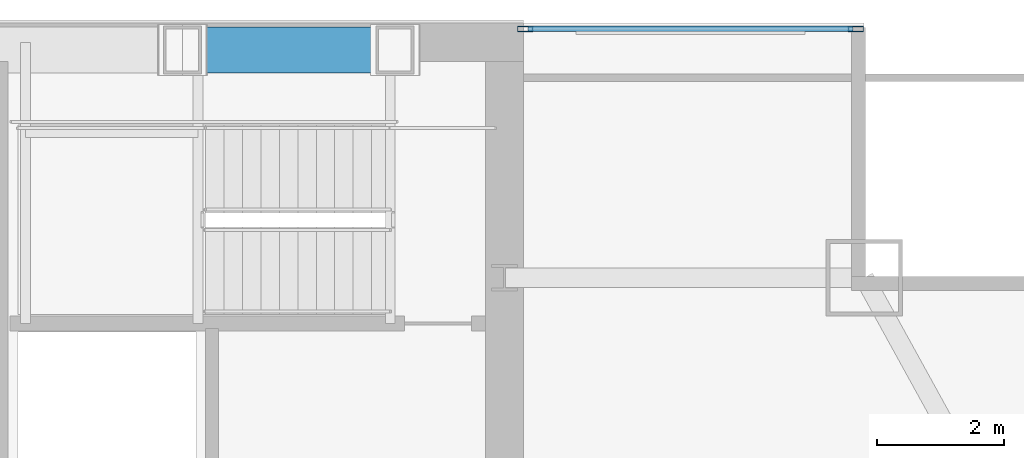
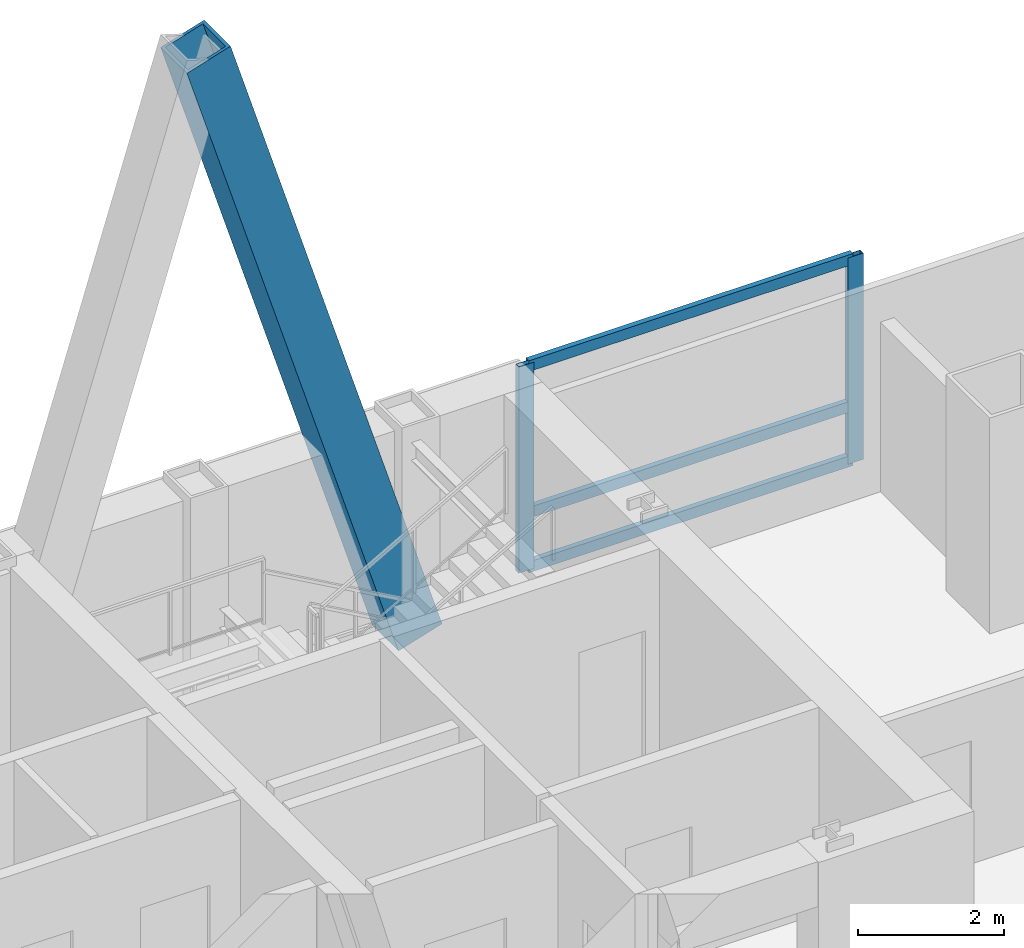
# One storey, part 26 of 33: 6 members, 1 element without a shape of its own.
"""IFC4 building model written with IfcOpenShell, lengths in metres."""

from ifc_helpers import new_model, si_unit, direction, frame, origin, origin_2d, place, context, subcontext, project, spatial, hollow_rectangle, extrude, material, material_profile, profile_set, type_object, element, aggregate, save


model = new_model("IFC4")

# Units and contexts
model_context = context("Model", 3, precision=1e-05, world=origin(), true_north=direction((0.0, 1.0)))
body_context = subcontext(model_context, "Body", "Model", "MODEL_VIEW")
ifc_project = project(units=[si_unit("LENGTHUNIT", "METRE"), si_unit("AREAUNIT", "SQUARE_METRE"), si_unit("VOLUMEUNIT", "CUBIC_METRE"), si_unit("PLANEANGLEUNIT", "RADIAN"), si_unit("MASSUNIT", "GRAM", prefix="KILO")], contexts=[model_context])

# Site, building, storey
site_placement = place(None, origin())
site = spatial("IfcSite", under=ifc_project, at=site_placement, CompositionType="ELEMENT")
building_placement = place(site_placement, origin())
building = spatial("IfcBuilding", under=site, at=building_placement, Name="Khoronbel Lancet Exchange", CompositionType="ELEMENT")
storey_placement = place(building_placement, frame((0.0, 0.0, 210.199951171875)))
storey = spatial("IfcBuildingStorey", under=building, at=storey_placement, Name="L53", CompositionType="ELEMENT", Elevation=210.199951171875)

# Curtain wall, members
ifc_material_1 = material(Name="Low-E Solar Control Insulating Glass", Category="glass")
curtain_wall_type = type_object("IfcCurtainWallType", Name="CW-3", PredefinedType="NOTDEFINED", material=ifc_material_1)
curtain_wall_placement = place(storey_placement, origin())
curtain_wall = element("IfcCurtainWall", 1, at=curtain_wall_placement, inside=storey, type_object=curtain_wall_type, Name="Unitised curtain wall CW-L53-NEFLK", PredefinedType="NOTDEFINED")
ifc_material_2 = material(Name="Bronze-Anodised Aluminium 6063-T6", Category="aluminium")
ifc_material_profile_1 = material_profile(ifc_material_2, hollow_rectangle(XDim=0.0849609375, YDim=0.239990234375, WallThickness=0.006103515625, at=origin_2d()), Name="ALU MULLION 85x240")
ifc_profile_set_1 = profile_set([ifc_material_profile_1], Name="Bronze-Anodised Aluminium 6063-T6")
member_type_1 = type_object("IfcMemberType", Name="MEM-CWM1", PredefinedType="MULLION", material=ifc_profile_set_1)
member_1_placement = place(storey_placement, frame((61.91748046875, 53.610107421875, 0.0), z_axis=(0.0, 0.0, 1.0), x_axis=(0.0, -1.0, 0.0)))
member_1 = element("IfcMember", 2, at=member_1_placement, type_object=member_type_1, Name="CW3 mullion 1", PredefinedType="MULLION", context=body_context, shape_type="SweptSolid", body=[
    extrude(hollow_rectangle(XDim=0.0849609375, YDim=0.239990234375, WallThickness=0.006103515625, at=origin_2d()), origin(), (0.0, 0.0, 1.0), 3.43994140625),
])
member_2_placement = place(storey_placement, frame((56.722412109375, 53.610107421875, 0.0), z_axis=(0.0, 0.0, 1.0), x_axis=(0.0, -1.0, 0.0)))
member_2 = element("IfcMember", 3, at=member_2_placement, type_object=member_type_1, Name="CW3 mullion 2", PredefinedType="MULLION", context=body_context, shape_type="SweptSolid", body=[
    extrude(hollow_rectangle(XDim=0.0849609375, YDim=0.239990234375, WallThickness=0.006103515625, at=origin_2d()), origin(), (0.0, 0.0, 1.0), 3.43994140625),
])
ifc_material_profile_2 = material_profile(ifc_material_2, hollow_rectangle(XDim=0.0849609375, YDim=0.179931640625, WallThickness=0.0048828125, at=origin_2d()), Name="ALU TRANSOM 85x180")
ifc_profile_set_2 = profile_set([ifc_material_profile_2], Name="Bronze-Anodised Aluminium 6063-T6")
member_type_2 = type_object("IfcMemberType", Name="MEM-CWT1", PredefinedType="USERDEFINED", material=ifc_profile_set_2)
member_3_placement = place(storey_placement, frame((61.875, 53.610107421875, 0.04248046875), z_axis=(-1.0, 0.0, 0.0), x_axis=(0.0, -1.0, 0.0)))
member_3 = element("IfcMember", 4, at=member_3_placement, type_object=member_type_2, Name="CW3 transom 1.1", ObjectType="TRANSOM", PredefinedType="USERDEFINED", context=body_context, shape_type="SweptSolid", body=[
    extrude(hollow_rectangle(XDim=0.0849609375, YDim=0.179931640625, WallThickness=0.0048828125, at=origin_2d()), origin(), (0.0, 0.0, 1.0), 5.110107421875),
])
member_4_placement = place(storey_placement, frame((61.875, 53.610107421875, 0.949951171875), z_axis=(-1.0, 0.0, 0.0), x_axis=(0.0, -1.0, 0.0)))
member_4 = element("IfcMember", 5, at=member_4_placement, type_object=member_type_2, Name="CW3 transom 1.2", ObjectType="TRANSOM", PredefinedType="USERDEFINED", context=body_context, shape_type="SweptSolid", body=[
    extrude(hollow_rectangle(XDim=0.0849609375, YDim=0.179931640625, WallThickness=0.0048828125, at=origin_2d()), origin(), (0.0, 0.0, 1.0), 5.110107421875),
])
member_5_placement = place(storey_placement, frame((61.875, 53.610107421875, 3.3974609375), z_axis=(-1.0, 0.0, 0.0), x_axis=(0.0, -1.0, 0.0)))
member_5 = element("IfcMember", 6, at=member_5_placement, type_object=member_type_2, Name="CW3 transom 1.3", ObjectType="TRANSOM", PredefinedType="USERDEFINED", context=body_context, shape_type="SweptSolid", body=[
    extrude(hollow_rectangle(XDim=0.0849609375, YDim=0.179931640625, WallThickness=0.0048828125, at=origin_2d()), origin(), (0.0, 0.0, 1.0), 5.110107421875),
])
aggregate(curtain_wall, [member_1, member_2, member_3, member_4, member_5])

# Member
ifc_material_3 = material(Name="Steel S460", Category="steel")
ifc_material_profile_3 = material_profile(ifc_material_3, hollow_rectangle(XDim=0.719970703125, YDim=0.719970703125, WallThickness=0.050048828125, at=origin_2d()), Name="BOX 720x720x50")
ifc_profile_set_3 = profile_set([ifc_material_profile_3], Name="Steel S460")
member_type_3 = type_object("IfcMemberType", Name="MEM-MB2", PredefinedType="BRACE", material=ifc_profile_set_3)
member_6_placement = place(storey_placement, frame((54.675048828125, 53.280029296875, 0.0), z_axis=(-0.295261823895, 0.0, 0.955416378), x_axis=(0.0, -1.0, 0.0)))
element("IfcMember", 7, at=member_6_placement, inside=storey, type_object=member_type_3, Name="Perimeter lancet brace tier 18 N-E-R", PredefinedType="BRACE", context=body_context, shape_type="SweptSolid", body=[
    extrude(hollow_rectangle(XDim=0.719970703125, YDim=0.719970703125, WallThickness=0.050048828125, at=origin_2d()), origin(), (0.0, 0.0, 1.0), 11.303955078125),
])

save(model, "model.ifc")
